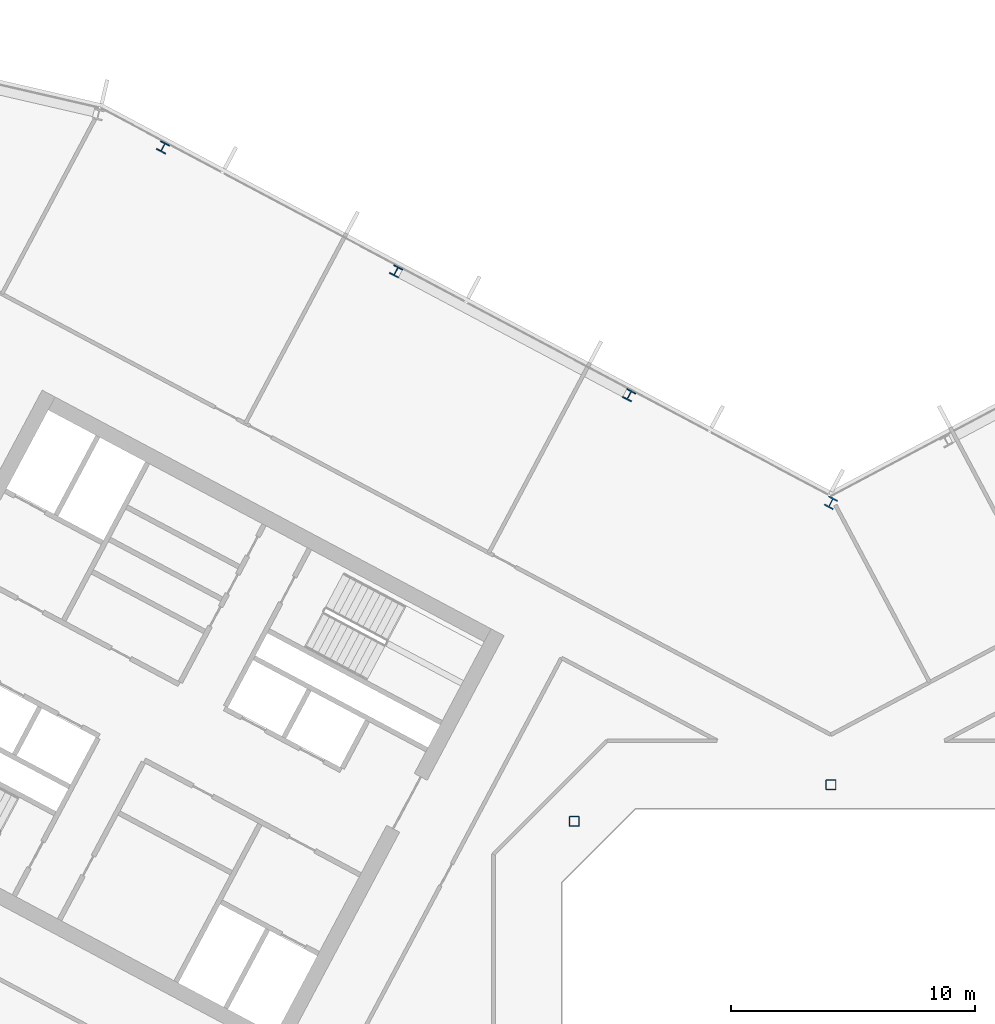
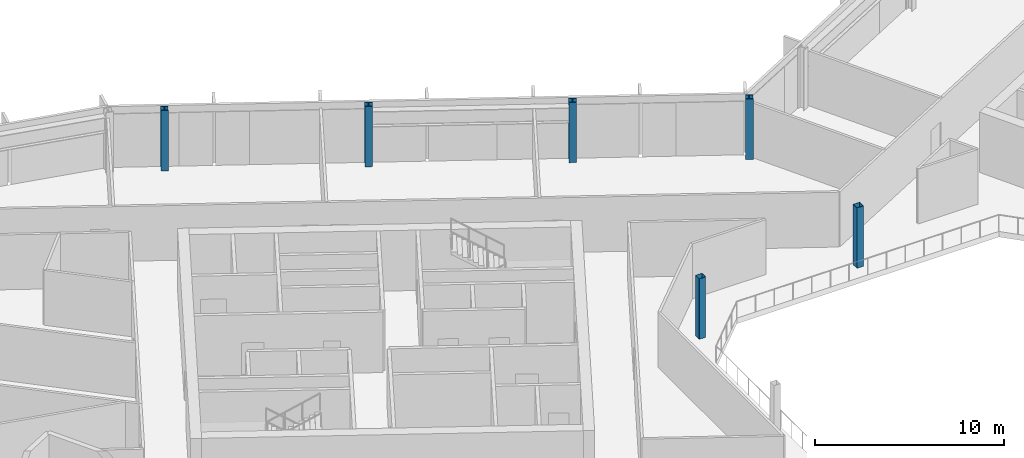
# One storey, part 4 of 27: 6 columns.
"""IFC4 building model written with IfcOpenShell, lengths in metres."""

from ifc_helpers import new_model, si_unit, direction, frame, origin, origin_2d, place, context, subcontext, project, spatial, hollow_rectangle, i_section, extrude, material, material_profile, profile_set, type_object, element, save


model = new_model("IFC4")

# Units and contexts
model_context = context("Model", 3, precision=1e-05, world=origin(), true_north=direction((0.0, 1.0)))
body_context = subcontext(model_context, "Body", "Model", "MODEL_VIEW")
ifc_project = project(units=[si_unit("LENGTHUNIT", "METRE"), si_unit("AREAUNIT", "SQUARE_METRE"), si_unit("VOLUMEUNIT", "CUBIC_METRE"), si_unit("PLANEANGLEUNIT", "RADIAN"), si_unit("MASSUNIT", "GRAM", prefix="KILO")], contexts=[model_context])

# Site, building, storey
site_placement = place(None, origin())
site = spatial("IfcSite", under=ifc_project, at=site_placement, CompositionType="ELEMENT")
building_placement = place(site_placement, origin())
building = spatial("IfcBuilding", under=site, at=building_placement, Name="Cormorant Relay Tower", CompositionType="ELEMENT")
storey_placement = place(building_placement, frame((0.0, 0.0, 209.10009765625)))
storey = spatial("IfcBuildingStorey", under=building, at=storey_placement, Name="L45", CompositionType="ELEMENT", Elevation=209.10009765625)

# Columns
ifc_material_1 = material(Name="Steel ASTM A500 Grade C (Fy 345 MPa)", Category="steel")
ifc_material_profile_1 = material_profile(ifc_material_1, hollow_rectangle(XDim=0.406494140625, YDim=0.406494140625, WallThickness=0.0146484375, InnerFilletRadius=0.00732421875, OuterFilletRadius=0.022216796875, at=origin_2d()), Name="HSS406x406x15")
ifc_profile_set_1 = profile_set([ifc_material_profile_1], Name="Steel ASTM A500 Grade C (Fy 345 MPa)")
column_type_1 = type_object("IfcColumnType", Name="Column HSS406x406x15", PredefinedType="COLUMN", material=ifc_profile_set_1)
for number, where, z_axis, x_axis, name in (
    (1, (-10.5, 10.5, 0.0), (0.0, 0.0, 1.0), (1.0, 0.0, 0.0), "Column L45-023"),
    (2, (0.0, 12.0, 0.0), (0.0, 0.0, 1.0), (1.0, 0.0, 0.0), "Column L45-025"),
):
    element("IfcColumn", number, at=place(storey_placement, frame(where, z_axis=z_axis, x_axis=x_axis)), inside=storey, type_object=column_type_1, Name=name, PredefinedType="COLUMN", context=body_context, shape_type="SweptSolid", body=[
        extrude(hollow_rectangle(XDim=0.406494140625, YDim=0.406494140625, WallThickness=0.0146484375, InnerFilletRadius=0.00732421875, OuterFilletRadius=0.022216796875, at=origin_2d()), origin(), (0.0, 0.0, 1.0), 3.89990234375),
    ])
ifc_material_2 = material(Name="Steel ASTM A992 (Fy 345 MPa)", Category="steel")
ifc_material_profile_2 = material_profile(ifc_material_2, i_section(OverallWidth=0.40380859375, OverallDepth=0.406494140625, WebThickness=0.027099609375, FlangeThickness=0.043701171875, FilletRadius=0.01513671875, at=origin_2d()), Name="W360x347")
ifc_profile_set_2 = profile_set([ifc_material_profile_2], Name="Steel ASTM A992 (Fy 345 MPa)")
column_type_2 = type_object("IfcColumnType", Name="Column W360x347", PredefinedType="COLUMN", material=ifc_profile_set_2)
for number, where, z_axis, x_axis, name in (
    (3, (-8.251953125, 27.93408203125, 0.0), (0.0, 0.0, 1.0), (-0.882947592859, 0.469471562786, 0.0), "Column L45-033"),
    (4, (-17.7880859375, 33.00390625, 0.0), (0.0, 0.0, 1.0), (-0.882947592859, 0.469471562786, 0.0), "Column L45-037"),
    (5, (-27.322998046875, 38.073974609375, 0.0), (0.0, 0.0, 1.0), (-0.882947592859, 0.469471562786, 0.0), "Column L45-040"),
):
    element("IfcColumn", number, at=place(storey_placement, frame(where, z_axis=z_axis, x_axis=x_axis)), inside=storey, type_object=column_type_2, Name=name, PredefinedType="COLUMN", context=body_context, shape_type="SweptSolid", body=[
        extrude(i_section(OverallWidth=0.40380859375, OverallDepth=0.406494140625, WebThickness=0.027099609375, FlangeThickness=0.043701171875, FilletRadius=0.01513671875, at=origin_2d()), origin(), (0.0, 0.0, 1.0), 3.89990234375),
    ])
ifc_material_3 = material(Name="Steel ASTM A992 (Fy 345 MPa)", Category="steel")
ifc_material_profile_3 = material_profile(ifc_material_3, i_section(OverallWidth=0.41162109375, OverallDepth=0.434326171875, WebThickness=0.035888671875, FlangeThickness=0.057373046875, FilletRadius=0.01513671875, at=origin_2d()), Name="W360x463")
ifc_profile_set_3 = profile_set([ifc_material_profile_3], Name="Steel ASTM A992 (Fy 345 MPa)")
column_type_3 = type_object("IfcColumnType", Name="Column W360x463", PredefinedType="COLUMN", material=ifc_profile_set_3)
column_placement = place(storey_placement, frame((0.0, 23.533935546875, 0.0), z_axis=(0.0, 0.0, 1.0), x_axis=(-0.882947592859, 0.469471562786, 0.0)))
element("IfcColumn", 6, at=column_placement, inside=storey, type_object=column_type_3, Name="Column L45-030", PredefinedType="COLUMN", context=body_context, shape_type="SweptSolid", body=[
    extrude(i_section(OverallWidth=0.41162109375, OverallDepth=0.434326171875, WebThickness=0.035888671875, FlangeThickness=0.057373046875, FilletRadius=0.01513671875, at=origin_2d()), origin(), (0.0, 0.0, 1.0), 3.89990234375),
])

save(model, "model.ifc")
